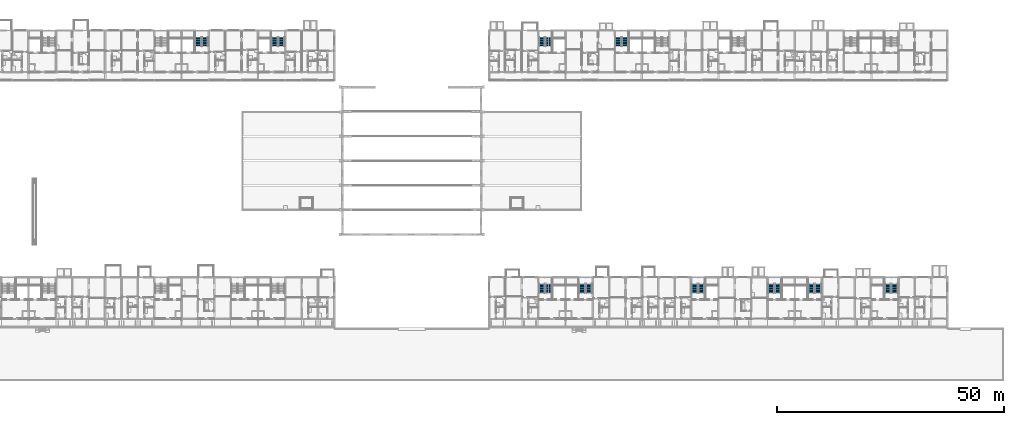
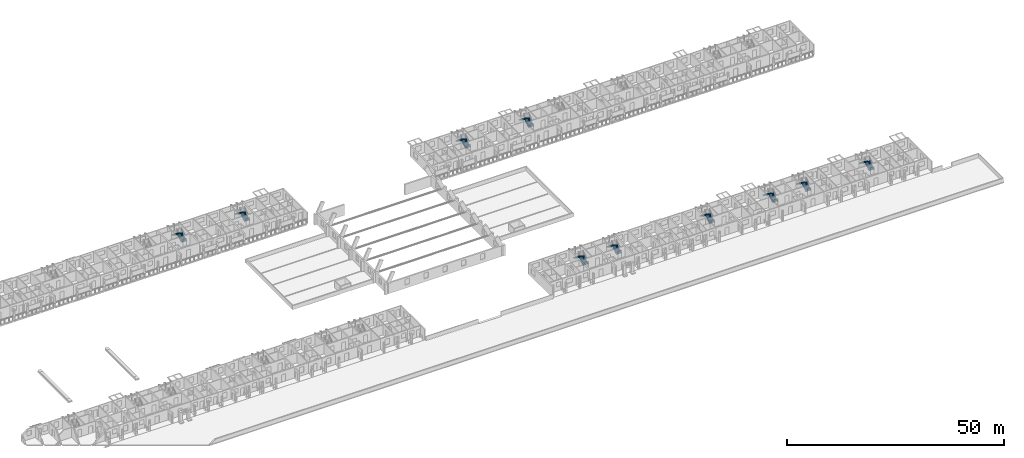
# One storey, part 75 of 115: 20 stair flights, 10 elements without a shape of their own.
"""IFC4 building model written with IfcOpenShell, lengths in metres."""

from ifc_helpers import new_model, si_unit, direction, frame, origin, place, context, subcontext, project, spatial, polyline, outline, extrude, material, type_object, element, aggregate, save


model = new_model("IFC4")

# Units and contexts
model_context = context("Model", 3, precision=1e-05, world=origin(), true_north=direction((0.0, 1.0)))
body_context = subcontext(model_context, "Body", "Model", "MODEL_VIEW")
ifc_project = project(units=[si_unit("LENGTHUNIT", "METRE"), si_unit("AREAUNIT", "SQUARE_METRE"), si_unit("VOLUMEUNIT", "CUBIC_METRE"), si_unit("PLANEANGLEUNIT", "RADIAN"), si_unit("MASSUNIT", "GRAM", prefix="KILO")], contexts=[model_context])

# Site, building, storey
site_placement = place(None, origin())
site = spatial("IfcSite", under=ifc_project, at=site_placement, CompositionType="ELEMENT")
building_placement = place(site_placement, origin())
building = spatial("IfcBuilding", under=site, at=building_placement, Name="Ridgestep Commons", CompositionType="ELEMENT")
storey_placement = place(building_placement, frame((0.0, 0.0, 6.0)))
storey = spatial("IfcBuildingStorey", under=building, at=storey_placement, Name="L02", CompositionType="ELEMENT", Elevation=6.0)

# Stair, stair flights
ifc_material_1 = material(Name="Precast concrete C40/50", Category="concrete")
stair_type = type_object("IfcStairType", Name="Escape stair 1400", PredefinedType="HALF_TURN_STAIR", material=ifc_material_1)
stair_1_placement = place(storey_placement, origin())
stair_1 = element("IfcStair", 1, at=stair_1_placement, inside=storey, type_object=stair_type, Name="L02 Escape stair B5C", PredefinedType="HALF_TURN_STAIR")
ifc_material_2 = material(Name="Precast concrete C40/50", Category="concrete")
stair_flight_type = type_object("IfcStairFlightType", Name="Stair flight 1400", PredefinedType="STRAIGHT", material=ifc_material_2)
stair_flight_1_placement = place(storey_placement, frame((84.375, 73.60009765625, 0.0), z_axis=(0.0, 0.0, 1.0), x_axis=(0.0, 1.0, 0.0)))
stair_flight_1 = element("IfcStairFlight", 2, at=stair_flight_1_placement, type_object=stair_flight_type, Name="B5C flight 1", NumberOfRisers=8, NumberOfTreads=7, PredefinedType="STRAIGHT", RiserHeight=0.1875, TreadLength=0.28, context=body_context, shape_type="SweptSolid", body=[
    extrude(outline(polyline([(0.0, 0.0), (0.0, 0.1875), (0.280029296875, 0.1875), (0.280029296875, 0.375), (0.56005859375, 0.375), (0.56005859375, 0.5625), (0.840087890625, 0.5625), (0.840087890625, 0.75), (1.1201171875, 0.75), (1.1201171875, 0.9375), (1.39990234375, 0.9375), (1.39990234375, 1.125), (1.679931640625, 1.125), (1.679931640625, 1.3125), (1.9599609375, 1.3125), (1.9599609375, 1.5), (1.9599609375, 1.132080078125), (0.26953125, 0.0), (0.0, 0.0)])), frame((0.0, 0.699951171875, 0.0), z_axis=(0.0, -1.0, 0.0), x_axis=(1.0, 0.0, 0.0)), (0.0, 0.0, 1.0), 0.695068359375),
    extrude(outline(polyline([(0.0, 0.0), (0.0, 0.1875), (0.280029296875, 0.1875), (0.280029296875, 0.375), (0.56005859375, 0.375), (0.56005859375, 0.5625), (0.840087890625, 0.5625), (0.840087890625, 0.75), (1.1201171875, 0.75), (1.1201171875, 0.9375), (1.39990234375, 0.9375), (1.39990234375, 1.125), (1.679931640625, 1.125), (1.679931640625, 1.3125), (1.9599609375, 1.3125), (1.9599609375, 1.5), (1.9599609375, 1.132080078125), (0.26953125, 0.0), (0.0, 0.0)])), frame((0.0, -0.0048828125, 0.0), z_axis=(0.0, -1.0, 0.0), x_axis=(1.0, 0.0, 0.0)), (0.0, 0.0, 1.0), 0.695068359375),
])
stair_flight_2_placement = place(storey_placement, frame((82.875, 75.56005859375, 1.5), z_axis=(0.0, 0.0, 1.0), x_axis=(0.0, -1.0, 0.0)))
stair_flight_2 = element("IfcStairFlight", 3, at=stair_flight_2_placement, type_object=stair_flight_type, Name="B5C flight 2", NumberOfRisers=8, NumberOfTreads=7, PredefinedType="STRAIGHT", RiserHeight=0.1875, TreadLength=0.28, context=body_context, shape_type="SweptSolid", body=[
    extrude(outline(polyline([(0.0, 0.0), (0.0, 0.1875), (0.280029296875, 0.1875), (0.280029296875, 0.375), (0.56005859375, 0.375), (0.56005859375, 0.5625), (0.840087890625, 0.5625), (0.840087890625, 0.75), (1.1201171875, 0.75), (1.1201171875, 0.9375), (1.39990234375, 0.9375), (1.39990234375, 1.125), (1.679931640625, 1.125), (1.679931640625, 1.3125), (1.9599609375, 1.3125), (1.9599609375, 1.5), (1.9599609375, 1.132080078125), (0.26953125, 0.0), (0.0, 0.0)])), frame((0.0, 0.699951171875, 0.0), z_axis=(0.0, -1.0, 0.0), x_axis=(1.0, 0.0, 0.0)), (0.0, 0.0, 1.0), 0.695068359375),
    extrude(outline(polyline([(0.0, 0.0), (0.0, 0.1875), (0.280029296875, 0.1875), (0.280029296875, 0.375), (0.56005859375, 0.375), (0.56005859375, 0.5625), (0.840087890625, 0.5625), (0.840087890625, 0.75), (1.1201171875, 0.75), (1.1201171875, 0.9375), (1.39990234375, 0.9375), (1.39990234375, 1.125), (1.679931640625, 1.125), (1.679931640625, 1.3125), (1.9599609375, 1.3125), (1.9599609375, 1.5), (1.9599609375, 1.132080078125), (0.26953125, 0.0), (0.0, 0.0)])), frame((0.0, -0.0048828125, 0.0), z_axis=(0.0, -1.0, 0.0), x_axis=(1.0, 0.0, 0.0)), (0.0, 0.0, 1.0), 0.695068359375),
])
aggregate(stair_1, [stair_flight_1, stair_flight_2])

stair_2_placement = place(storey_placement, origin())
stair_2 = element("IfcStair", 4, at=stair_2_placement, inside=storey, type_object=stair_type, Name="L02 Escape stair B6C", PredefinedType="HALF_TURN_STAIR")
stair_flight_3_placement = place(storey_placement, frame((101.175048828125, 73.60009765625, 0.0), z_axis=(0.0, 0.0, 1.0), x_axis=(0.0, 1.0, 0.0)))
stair_flight_3 = element("IfcStairFlight", 5, at=stair_flight_3_placement, type_object=stair_flight_type, Name="B6C flight 1", NumberOfRisers=8, NumberOfTreads=7, PredefinedType="STRAIGHT", RiserHeight=0.1875, TreadLength=0.28, context=body_context, shape_type="SweptSolid", body=[
    extrude(outline(polyline([(0.0, 0.0), (0.0, 0.1875), (0.280029296875, 0.1875), (0.280029296875, 0.375), (0.56005859375, 0.375), (0.56005859375, 0.5625), (0.840087890625, 0.5625), (0.840087890625, 0.75), (1.1201171875, 0.75), (1.1201171875, 0.9375), (1.39990234375, 0.9375), (1.39990234375, 1.125), (1.679931640625, 1.125), (1.679931640625, 1.3125), (1.9599609375, 1.3125), (1.9599609375, 1.5), (1.9599609375, 1.132080078125), (0.26953125, 0.0), (0.0, 0.0)])), frame((0.0, 0.699951171875, 0.0), z_axis=(0.0, -1.0, 0.0), x_axis=(1.0, 0.0, 0.0)), (0.0, 0.0, 1.0), 0.695068359375),
    extrude(outline(polyline([(0.0, 0.0), (0.0, 0.1875), (0.280029296875, 0.1875), (0.280029296875, 0.375), (0.56005859375, 0.375), (0.56005859375, 0.5625), (0.840087890625, 0.5625), (0.840087890625, 0.75), (1.1201171875, 0.75), (1.1201171875, 0.9375), (1.39990234375, 0.9375), (1.39990234375, 1.125), (1.679931640625, 1.125), (1.679931640625, 1.3125), (1.9599609375, 1.3125), (1.9599609375, 1.5), (1.9599609375, 1.132080078125), (0.26953125, 0.0), (0.0, 0.0)])), frame((0.0, -0.0048828125, 0.0), z_axis=(0.0, -1.0, 0.0), x_axis=(1.0, 0.0, 0.0)), (0.0, 0.0, 1.0), 0.695068359375),
])
stair_flight_4_placement = place(storey_placement, frame((99.675048828125, 75.56005859375, 1.5), z_axis=(0.0, 0.0, 1.0), x_axis=(0.0, -1.0, 0.0)))
stair_flight_4 = element("IfcStairFlight", 6, at=stair_flight_4_placement, type_object=stair_flight_type, Name="B6C flight 2", NumberOfRisers=8, NumberOfTreads=7, PredefinedType="STRAIGHT", RiserHeight=0.1875, TreadLength=0.28, context=body_context, shape_type="SweptSolid", body=[
    extrude(outline(polyline([(0.0, 0.0), (0.0, 0.1875), (0.280029296875, 0.1875), (0.280029296875, 0.375), (0.56005859375, 0.375), (0.56005859375, 0.5625), (0.840087890625, 0.5625), (0.840087890625, 0.75), (1.1201171875, 0.75), (1.1201171875, 0.9375), (1.39990234375, 0.9375), (1.39990234375, 1.125), (1.679931640625, 1.125), (1.679931640625, 1.3125), (1.9599609375, 1.3125), (1.9599609375, 1.5), (1.9599609375, 1.132080078125), (0.26953125, 0.0), (0.0, 0.0)])), frame((0.0, 0.699951171875, 0.0), z_axis=(0.0, -1.0, 0.0), x_axis=(1.0, 0.0, 0.0)), (0.0, 0.0, 1.0), 0.695068359375),
    extrude(outline(polyline([(0.0, 0.0), (0.0, 0.1875), (0.280029296875, 0.1875), (0.280029296875, 0.375), (0.56005859375, 0.375), (0.56005859375, 0.5625), (0.840087890625, 0.5625), (0.840087890625, 0.75), (1.1201171875, 0.75), (1.1201171875, 0.9375), (1.39990234375, 0.9375), (1.39990234375, 1.125), (1.679931640625, 1.125), (1.679931640625, 1.3125), (1.9599609375, 1.3125), (1.9599609375, 1.5), (1.9599609375, 1.132080078125), (0.26953125, 0.0), (0.0, 0.0)])), frame((0.0, -0.0048828125, 0.0), z_axis=(0.0, -1.0, 0.0), x_axis=(1.0, 0.0, 0.0)), (0.0, 0.0, 1.0), 0.695068359375),
])
aggregate(stair_2, [stair_flight_3, stair_flight_4])

stair_3_placement = place(storey_placement, origin())
stair_3 = element("IfcStair", 7, at=stair_3_placement, inside=storey, type_object=stair_type, Name="L02 Escape stair C1C", PredefinedType="HALF_TURN_STAIR")
stair_flight_5_placement = place(storey_placement, frame((159.925048828125, 73.60009765625, 0.0), z_axis=(0.0, 0.0, 1.0), x_axis=(0.0, 1.0, 0.0)))
stair_flight_5 = element("IfcStairFlight", 8, at=stair_flight_5_placement, type_object=stair_flight_type, Name="C1C flight 1", NumberOfRisers=8, NumberOfTreads=7, PredefinedType="STRAIGHT", RiserHeight=0.1875, TreadLength=0.28, context=body_context, shape_type="SweptSolid", body=[
    extrude(outline(polyline([(0.0, 0.0), (0.0, 0.1875), (0.280029296875, 0.1875), (0.280029296875, 0.375), (0.56005859375, 0.375), (0.56005859375, 0.5625), (0.840087890625, 0.5625), (0.840087890625, 0.75), (1.1201171875, 0.75), (1.1201171875, 0.9375), (1.39990234375, 0.9375), (1.39990234375, 1.125), (1.679931640625, 1.125), (1.679931640625, 1.3125), (1.9599609375, 1.3125), (1.9599609375, 1.5), (1.9599609375, 1.132080078125), (0.26953125, 0.0), (0.0, 0.0)])), frame((0.0, 0.699951171875, 0.0), z_axis=(0.0, -1.0, 0.0), x_axis=(1.0, 0.0, 0.0)), (0.0, 0.0, 1.0), 0.695068359375),
    extrude(outline(polyline([(0.0, 0.0), (0.0, 0.1875), (0.280029296875, 0.1875), (0.280029296875, 0.375), (0.56005859375, 0.375), (0.56005859375, 0.5625), (0.840087890625, 0.5625), (0.840087890625, 0.75), (1.1201171875, 0.75), (1.1201171875, 0.9375), (1.39990234375, 0.9375), (1.39990234375, 1.125), (1.679931640625, 1.125), (1.679931640625, 1.3125), (1.9599609375, 1.3125), (1.9599609375, 1.5), (1.9599609375, 1.132080078125), (0.26953125, 0.0), (0.0, 0.0)])), frame((0.0, -0.0048828125, 0.0), z_axis=(0.0, -1.0, 0.0), x_axis=(1.0, 0.0, 0.0)), (0.0, 0.0, 1.0), 0.695068359375),
])
stair_flight_6_placement = place(storey_placement, frame((158.425048828125, 75.56005859375, 1.5), z_axis=(0.0, 0.0, 1.0), x_axis=(0.0, -1.0, 0.0)))
stair_flight_6 = element("IfcStairFlight", 9, at=stair_flight_6_placement, type_object=stair_flight_type, Name="C1C flight 2", NumberOfRisers=8, NumberOfTreads=7, PredefinedType="STRAIGHT", RiserHeight=0.1875, TreadLength=0.28, context=body_context, shape_type="SweptSolid", body=[
    extrude(outline(polyline([(0.0, 0.0), (0.0, 0.1875), (0.280029296875, 0.1875), (0.280029296875, 0.375), (0.56005859375, 0.375), (0.56005859375, 0.5625), (0.840087890625, 0.5625), (0.840087890625, 0.75), (1.1201171875, 0.75), (1.1201171875, 0.9375), (1.39990234375, 0.9375), (1.39990234375, 1.125), (1.679931640625, 1.125), (1.679931640625, 1.3125), (1.9599609375, 1.3125), (1.9599609375, 1.5), (1.9599609375, 1.132080078125), (0.26953125, 0.0), (0.0, 0.0)])), frame((0.0, 0.699951171875, 0.0), z_axis=(0.0, -1.0, 0.0), x_axis=(1.0, 0.0, 0.0)), (0.0, 0.0, 1.0), 0.695068359375),
    extrude(outline(polyline([(0.0, 0.0), (0.0, 0.1875), (0.280029296875, 0.1875), (0.280029296875, 0.375), (0.56005859375, 0.375), (0.56005859375, 0.5625), (0.840087890625, 0.5625), (0.840087890625, 0.75), (1.1201171875, 0.75), (1.1201171875, 0.9375), (1.39990234375, 0.9375), (1.39990234375, 1.125), (1.679931640625, 1.125), (1.679931640625, 1.3125), (1.9599609375, 1.3125), (1.9599609375, 1.5), (1.9599609375, 1.132080078125), (0.26953125, 0.0), (0.0, 0.0)])), frame((0.0, -0.0048828125, 0.0), z_axis=(0.0, -1.0, 0.0), x_axis=(1.0, 0.0, 0.0)), (0.0, 0.0, 1.0), 0.695068359375),
])
aggregate(stair_3, [stair_flight_5, stair_flight_6])

stair_4_placement = place(storey_placement, origin())
stair_4 = element("IfcStair", 10, at=stair_4_placement, inside=storey, type_object=stair_type, Name="L02 Escape stair C2C", PredefinedType="HALF_TURN_STAIR")
stair_flight_7_placement = place(storey_placement, frame((176.72509765625, 73.60009765625, 0.0), z_axis=(0.0, 0.0, 1.0), x_axis=(0.0, 1.0, 0.0)))
stair_flight_7 = element("IfcStairFlight", 11, at=stair_flight_7_placement, type_object=stair_flight_type, Name="C2C flight 1", NumberOfRisers=8, NumberOfTreads=7, PredefinedType="STRAIGHT", RiserHeight=0.1875, TreadLength=0.28, context=body_context, shape_type="SweptSolid", body=[
    extrude(outline(polyline([(0.0, 0.0), (0.0, 0.1875), (0.280029296875, 0.1875), (0.280029296875, 0.375), (0.56005859375, 0.375), (0.56005859375, 0.5625), (0.840087890625, 0.5625), (0.840087890625, 0.75), (1.1201171875, 0.75), (1.1201171875, 0.9375), (1.39990234375, 0.9375), (1.39990234375, 1.125), (1.679931640625, 1.125), (1.679931640625, 1.3125), (1.9599609375, 1.3125), (1.9599609375, 1.5), (1.9599609375, 1.132080078125), (0.26953125, 0.0), (0.0, 0.0)])), frame((0.0, 0.699951171875, 0.0), z_axis=(0.0, -1.0, 0.0), x_axis=(1.0, 0.0, 0.0)), (0.0, 0.0, 1.0), 0.695068359375),
    extrude(outline(polyline([(0.0, 0.0), (0.0, 0.1875), (0.280029296875, 0.1875), (0.280029296875, 0.375), (0.56005859375, 0.375), (0.56005859375, 0.5625), (0.840087890625, 0.5625), (0.840087890625, 0.75), (1.1201171875, 0.75), (1.1201171875, 0.9375), (1.39990234375, 0.9375), (1.39990234375, 1.125), (1.679931640625, 1.125), (1.679931640625, 1.3125), (1.9599609375, 1.3125), (1.9599609375, 1.5), (1.9599609375, 1.132080078125), (0.26953125, 0.0), (0.0, 0.0)])), frame((0.0, -0.0048828125, 0.0), z_axis=(0.0, -1.0, 0.0), x_axis=(1.0, 0.0, 0.0)), (0.0, 0.0, 1.0), 0.695068359375),
])
stair_flight_8_placement = place(storey_placement, frame((175.22509765625, 75.56005859375, 1.5), z_axis=(0.0, 0.0, 1.0), x_axis=(0.0, -1.0, 0.0)))
stair_flight_8 = element("IfcStairFlight", 12, at=stair_flight_8_placement, type_object=stair_flight_type, Name="C2C flight 2", NumberOfRisers=8, NumberOfTreads=7, PredefinedType="STRAIGHT", RiserHeight=0.1875, TreadLength=0.28, context=body_context, shape_type="SweptSolid", body=[
    extrude(outline(polyline([(0.0, 0.0), (0.0, 0.1875), (0.280029296875, 0.1875), (0.280029296875, 0.375), (0.56005859375, 0.375), (0.56005859375, 0.5625), (0.840087890625, 0.5625), (0.840087890625, 0.75), (1.1201171875, 0.75), (1.1201171875, 0.9375), (1.39990234375, 0.9375), (1.39990234375, 1.125), (1.679931640625, 1.125), (1.679931640625, 1.3125), (1.9599609375, 1.3125), (1.9599609375, 1.5), (1.9599609375, 1.132080078125), (0.26953125, 0.0), (0.0, 0.0)])), frame((0.0, 0.699951171875, 0.0), z_axis=(0.0, -1.0, 0.0), x_axis=(1.0, 0.0, 0.0)), (0.0, 0.0, 1.0), 0.695068359375),
    extrude(outline(polyline([(0.0, 0.0), (0.0, 0.1875), (0.280029296875, 0.1875), (0.280029296875, 0.375), (0.56005859375, 0.375), (0.56005859375, 0.5625), (0.840087890625, 0.5625), (0.840087890625, 0.75), (1.1201171875, 0.75), (1.1201171875, 0.9375), (1.39990234375, 0.9375), (1.39990234375, 1.125), (1.679931640625, 1.125), (1.679931640625, 1.3125), (1.9599609375, 1.3125), (1.9599609375, 1.5), (1.9599609375, 1.132080078125), (0.26953125, 0.0), (0.0, 0.0)])), frame((0.0, -0.0048828125, 0.0), z_axis=(0.0, -1.0, 0.0), x_axis=(1.0, 0.0, 0.0)), (0.0, 0.0, 1.0), 0.695068359375),
])
aggregate(stair_4, [stair_flight_7, stair_flight_8])

stair_5_placement = place(storey_placement, origin())
stair_5 = element("IfcStair", 13, at=stair_5_placement, inside=storey, type_object=stair_type, Name="L02 Escape stair D1C", PredefinedType="HALF_TURN_STAIR")
stair_flight_9_placement = place(storey_placement, frame((159.925048828125, 19.35009765625, 0.0), z_axis=(0.0, 0.0, 1.0), x_axis=(0.0, 1.0, 0.0)))
stair_flight_9 = element("IfcStairFlight", 14, at=stair_flight_9_placement, type_object=stair_flight_type, Name="D1C flight 1", NumberOfRisers=8, NumberOfTreads=7, PredefinedType="STRAIGHT", RiserHeight=0.1875, TreadLength=0.28, context=body_context, shape_type="SweptSolid", body=[
    extrude(outline(polyline([(0.0, 0.0), (0.0, 0.1875), (0.280029296875, 0.1875), (0.280029296875, 0.375), (0.56005859375, 0.375), (0.56005859375, 0.5625), (0.840087890625, 0.5625), (0.840087890625, 0.75), (1.1201171875, 0.75), (1.1201171875, 0.9375), (1.39990234375, 0.9375), (1.39990234375, 1.125), (1.679931640625, 1.125), (1.679931640625, 1.3125), (1.9599609375, 1.3125), (1.9599609375, 1.5), (1.9599609375, 1.132080078125), (0.26953125, 0.0), (0.0, 0.0)])), frame((0.0, 0.699951171875, 0.0), z_axis=(0.0, -1.0, 0.0), x_axis=(1.0, 0.0, 0.0)), (0.0, 0.0, 1.0), 0.695068359375),
    extrude(outline(polyline([(0.0, 0.0), (0.0, 0.1875), (0.280029296875, 0.1875), (0.280029296875, 0.375), (0.56005859375, 0.375), (0.56005859375, 0.5625), (0.840087890625, 0.5625), (0.840087890625, 0.75), (1.1201171875, 0.75), (1.1201171875, 0.9375), (1.39990234375, 0.9375), (1.39990234375, 1.125), (1.679931640625, 1.125), (1.679931640625, 1.3125), (1.9599609375, 1.3125), (1.9599609375, 1.5), (1.9599609375, 1.132080078125), (0.26953125, 0.0), (0.0, 0.0)])), frame((0.0, -0.0048828125, 0.0), z_axis=(0.0, -1.0, 0.0), x_axis=(1.0, 0.0, 0.0)), (0.0, 0.0, 1.0), 0.695068359375),
])
stair_flight_10_placement = place(storey_placement, frame((158.425048828125, 21.31005859375, 1.5), z_axis=(0.0, 0.0, 1.0), x_axis=(0.0, -1.0, 0.0)))
stair_flight_10 = element("IfcStairFlight", 15, at=stair_flight_10_placement, type_object=stair_flight_type, Name="D1C flight 2", NumberOfRisers=8, NumberOfTreads=7, PredefinedType="STRAIGHT", RiserHeight=0.1875, TreadLength=0.28, context=body_context, shape_type="SweptSolid", body=[
    extrude(outline(polyline([(0.0, 0.0), (0.0, 0.1875), (0.280029296875, 0.1875), (0.280029296875, 0.375), (0.56005859375, 0.375), (0.56005859375, 0.5625), (0.840087890625, 0.5625), (0.840087890625, 0.75), (1.1201171875, 0.75), (1.1201171875, 0.9375), (1.39990234375, 0.9375), (1.39990234375, 1.125), (1.679931640625, 1.125), (1.679931640625, 1.3125), (1.9599609375, 1.3125), (1.9599609375, 1.5), (1.9599609375, 1.132080078125), (0.26953125, 0.0), (0.0, 0.0)])), frame((0.0, 0.699951171875, 0.0), z_axis=(0.0, -1.0, 0.0), x_axis=(1.0, 0.0, 0.0)), (0.0, 0.0, 1.0), 0.695068359375),
    extrude(outline(polyline([(0.0, 0.0), (0.0, 0.1875), (0.280029296875, 0.1875), (0.280029296875, 0.375), (0.56005859375, 0.375), (0.56005859375, 0.5625), (0.840087890625, 0.5625), (0.840087890625, 0.75), (1.1201171875, 0.75), (1.1201171875, 0.9375), (1.39990234375, 0.9375), (1.39990234375, 1.125), (1.679931640625, 1.125), (1.679931640625, 1.3125), (1.9599609375, 1.3125), (1.9599609375, 1.5), (1.9599609375, 1.132080078125), (0.26953125, 0.0), (0.0, 0.0)])), frame((0.0, -0.0048828125, 0.0), z_axis=(0.0, -1.0, 0.0), x_axis=(1.0, 0.0, 0.0)), (0.0, 0.0, 1.0), 0.695068359375),
])
aggregate(stair_5, [stair_flight_9, stair_flight_10])

stair_6_placement = place(storey_placement, origin())
stair_6 = element("IfcStair", 16, at=stair_6_placement, inside=storey, type_object=stair_type, Name="L02 Escape stair D2C", PredefinedType="HALF_TURN_STAIR")
stair_flight_11_placement = place(storey_placement, frame((168.77490234375, 19.35009765625, 0.0), z_axis=(0.0, 0.0, 1.0), x_axis=(0.0, 1.0, 0.0)))
stair_flight_11 = element("IfcStairFlight", 17, at=stair_flight_11_placement, type_object=stair_flight_type, Name="D2C flight 1", NumberOfRisers=8, NumberOfTreads=7, PredefinedType="STRAIGHT", RiserHeight=0.1875, TreadLength=0.28, context=body_context, shape_type="SweptSolid", body=[
    extrude(outline(polyline([(0.0, 0.0), (0.0, 0.1875), (0.280029296875, 0.1875), (0.280029296875, 0.375), (0.56005859375, 0.375), (0.56005859375, 0.5625), (0.840087890625, 0.5625), (0.840087890625, 0.75), (1.1201171875, 0.75), (1.1201171875, 0.9375), (1.39990234375, 0.9375), (1.39990234375, 1.125), (1.679931640625, 1.125), (1.679931640625, 1.3125), (1.9599609375, 1.3125), (1.9599609375, 1.5), (1.9599609375, 1.132080078125), (0.26953125, 0.0), (0.0, 0.0)])), frame((0.0, 0.699951171875, 0.0), z_axis=(0.0, -1.0, 0.0), x_axis=(1.0, 0.0, 0.0)), (0.0, 0.0, 1.0), 0.695068359375),
    extrude(outline(polyline([(0.0, 0.0), (0.0, 0.1875), (0.280029296875, 0.1875), (0.280029296875, 0.375), (0.56005859375, 0.375), (0.56005859375, 0.5625), (0.840087890625, 0.5625), (0.840087890625, 0.75), (1.1201171875, 0.75), (1.1201171875, 0.9375), (1.39990234375, 0.9375), (1.39990234375, 1.125), (1.679931640625, 1.125), (1.679931640625, 1.3125), (1.9599609375, 1.3125), (1.9599609375, 1.5), (1.9599609375, 1.132080078125), (0.26953125, 0.0), (0.0, 0.0)])), frame((0.0, -0.0048828125, 0.0), z_axis=(0.0, -1.0, 0.0), x_axis=(1.0, 0.0, 0.0)), (0.0, 0.0, 1.0), 0.695068359375),
])
stair_flight_12_placement = place(storey_placement, frame((167.27490234375, 21.31005859375, 1.5), z_axis=(0.0, 0.0, 1.0), x_axis=(0.0, -1.0, 0.0)))
stair_flight_12 = element("IfcStairFlight", 18, at=stair_flight_12_placement, type_object=stair_flight_type, Name="D2C flight 2", NumberOfRisers=8, NumberOfTreads=7, PredefinedType="STRAIGHT", RiserHeight=0.1875, TreadLength=0.28, context=body_context, shape_type="SweptSolid", body=[
    extrude(outline(polyline([(0.0, 0.0), (0.0, 0.1875), (0.280029296875, 0.1875), (0.280029296875, 0.375), (0.56005859375, 0.375), (0.56005859375, 0.5625), (0.840087890625, 0.5625), (0.840087890625, 0.75), (1.1201171875, 0.75), (1.1201171875, 0.9375), (1.39990234375, 0.9375), (1.39990234375, 1.125), (1.679931640625, 1.125), (1.679931640625, 1.3125), (1.9599609375, 1.3125), (1.9599609375, 1.5), (1.9599609375, 1.132080078125), (0.26953125, 0.0), (0.0, 0.0)])), frame((0.0, 0.699951171875, 0.0), z_axis=(0.0, -1.0, 0.0), x_axis=(1.0, 0.0, 0.0)), (0.0, 0.0, 1.0), 0.695068359375),
    extrude(outline(polyline([(0.0, 0.0), (0.0, 0.1875), (0.280029296875, 0.1875), (0.280029296875, 0.375), (0.56005859375, 0.375), (0.56005859375, 0.5625), (0.840087890625, 0.5625), (0.840087890625, 0.75), (1.1201171875, 0.75), (1.1201171875, 0.9375), (1.39990234375, 0.9375), (1.39990234375, 1.125), (1.679931640625, 1.125), (1.679931640625, 1.3125), (1.9599609375, 1.3125), (1.9599609375, 1.5), (1.9599609375, 1.132080078125), (0.26953125, 0.0), (0.0, 0.0)])), frame((0.0, -0.0048828125, 0.0), z_axis=(0.0, -1.0, 0.0), x_axis=(1.0, 0.0, 0.0)), (0.0, 0.0, 1.0), 0.695068359375),
])
aggregate(stair_6, [stair_flight_11, stair_flight_12])

stair_7_placement = place(storey_placement, origin())
stair_7 = element("IfcStair", 19, at=stair_7_placement, inside=storey, type_object=stair_type, Name="L02 Escape stair D3C", PredefinedType="HALF_TURN_STAIR")
stair_flight_13_placement = place(storey_placement, frame((193.52490234375, 19.35009765625, 0.0), z_axis=(0.0, 0.0, 1.0), x_axis=(0.0, 1.0, 0.0)))
stair_flight_13 = element("IfcStairFlight", 20, at=stair_flight_13_placement, type_object=stair_flight_type, Name="D3C flight 1", NumberOfRisers=8, NumberOfTreads=7, PredefinedType="STRAIGHT", RiserHeight=0.1875, TreadLength=0.28, context=body_context, shape_type="SweptSolid", body=[
    extrude(outline(polyline([(0.0, 0.0), (0.0, 0.1875), (0.280029296875, 0.1875), (0.280029296875, 0.375), (0.56005859375, 0.375), (0.56005859375, 0.5625), (0.840087890625, 0.5625), (0.840087890625, 0.75), (1.1201171875, 0.75), (1.1201171875, 0.9375), (1.39990234375, 0.9375), (1.39990234375, 1.125), (1.679931640625, 1.125), (1.679931640625, 1.3125), (1.9599609375, 1.3125), (1.9599609375, 1.5), (1.9599609375, 1.132080078125), (0.26953125, 0.0), (0.0, 0.0)])), frame((0.0, 0.699951171875, 0.0), z_axis=(0.0, -1.0, 0.0), x_axis=(1.0, 0.0, 0.0)), (0.0, 0.0, 1.0), 0.695068359375),
    extrude(outline(polyline([(0.0, 0.0), (0.0, 0.1875), (0.280029296875, 0.1875), (0.280029296875, 0.375), (0.56005859375, 0.375), (0.56005859375, 0.5625), (0.840087890625, 0.5625), (0.840087890625, 0.75), (1.1201171875, 0.75), (1.1201171875, 0.9375), (1.39990234375, 0.9375), (1.39990234375, 1.125), (1.679931640625, 1.125), (1.679931640625, 1.3125), (1.9599609375, 1.3125), (1.9599609375, 1.5), (1.9599609375, 1.132080078125), (0.26953125, 0.0), (0.0, 0.0)])), frame((0.0, -0.0048828125, 0.0), z_axis=(0.0, -1.0, 0.0), x_axis=(1.0, 0.0, 0.0)), (0.0, 0.0, 1.0), 0.695068359375),
])
stair_flight_14_placement = place(storey_placement, frame((192.02490234375, 21.31005859375, 1.5), z_axis=(0.0, 0.0, 1.0), x_axis=(0.0, -1.0, 0.0)))
stair_flight_14 = element("IfcStairFlight", 21, at=stair_flight_14_placement, type_object=stair_flight_type, Name="D3C flight 2", NumberOfRisers=8, NumberOfTreads=7, PredefinedType="STRAIGHT", RiserHeight=0.1875, TreadLength=0.28, context=body_context, shape_type="SweptSolid", body=[
    extrude(outline(polyline([(0.0, 0.0), (0.0, 0.1875), (0.280029296875, 0.1875), (0.280029296875, 0.375), (0.56005859375, 0.375), (0.56005859375, 0.5625), (0.840087890625, 0.5625), (0.840087890625, 0.75), (1.1201171875, 0.75), (1.1201171875, 0.9375), (1.39990234375, 0.9375), (1.39990234375, 1.125), (1.679931640625, 1.125), (1.679931640625, 1.3125), (1.9599609375, 1.3125), (1.9599609375, 1.5), (1.9599609375, 1.132080078125), (0.26953125, 0.0), (0.0, 0.0)])), frame((0.0, 0.699951171875, 0.0), z_axis=(0.0, -1.0, 0.0), x_axis=(1.0, 0.0, 0.0)), (0.0, 0.0, 1.0), 0.695068359375),
    extrude(outline(polyline([(0.0, 0.0), (0.0, 0.1875), (0.280029296875, 0.1875), (0.280029296875, 0.375), (0.56005859375, 0.375), (0.56005859375, 0.5625), (0.840087890625, 0.5625), (0.840087890625, 0.75), (1.1201171875, 0.75), (1.1201171875, 0.9375), (1.39990234375, 0.9375), (1.39990234375, 1.125), (1.679931640625, 1.125), (1.679931640625, 1.3125), (1.9599609375, 1.3125), (1.9599609375, 1.5), (1.9599609375, 1.132080078125), (0.26953125, 0.0), (0.0, 0.0)])), frame((0.0, -0.0048828125, 0.0), z_axis=(0.0, -1.0, 0.0), x_axis=(1.0, 0.0, 0.0)), (0.0, 0.0, 1.0), 0.695068359375),
])
aggregate(stair_7, [stair_flight_13, stair_flight_14])

stair_8_placement = place(storey_placement, origin())
stair_8 = element("IfcStair", 22, at=stair_8_placement, inside=storey, type_object=stair_type, Name="L02 Escape stair D4C", PredefinedType="HALF_TURN_STAIR")
stair_flight_15_placement = place(storey_placement, frame((210.324951171875, 19.35009765625, 0.0), z_axis=(0.0, 0.0, 1.0), x_axis=(0.0, 1.0, 0.0)))
stair_flight_15 = element("IfcStairFlight", 23, at=stair_flight_15_placement, type_object=stair_flight_type, Name="D4C flight 1", NumberOfRisers=8, NumberOfTreads=7, PredefinedType="STRAIGHT", RiserHeight=0.1875, TreadLength=0.28, context=body_context, shape_type="SweptSolid", body=[
    extrude(outline(polyline([(0.0, 0.0), (0.0, 0.1875), (0.280029296875, 0.1875), (0.280029296875, 0.375), (0.56005859375, 0.375), (0.56005859375, 0.5625), (0.840087890625, 0.5625), (0.840087890625, 0.75), (1.1201171875, 0.75), (1.1201171875, 0.9375), (1.39990234375, 0.9375), (1.39990234375, 1.125), (1.679931640625, 1.125), (1.679931640625, 1.3125), (1.9599609375, 1.3125), (1.9599609375, 1.5), (1.9599609375, 1.132080078125), (0.26953125, 0.0), (0.0, 0.0)])), frame((0.0, 0.699951171875, 0.0), z_axis=(0.0, -1.0, 0.0), x_axis=(1.0, 0.0, 0.0)), (0.0, 0.0, 1.0), 0.695068359375),
    extrude(outline(polyline([(0.0, 0.0), (0.0, 0.1875), (0.280029296875, 0.1875), (0.280029296875, 0.375), (0.56005859375, 0.375), (0.56005859375, 0.5625), (0.840087890625, 0.5625), (0.840087890625, 0.75), (1.1201171875, 0.75), (1.1201171875, 0.9375), (1.39990234375, 0.9375), (1.39990234375, 1.125), (1.679931640625, 1.125), (1.679931640625, 1.3125), (1.9599609375, 1.3125), (1.9599609375, 1.5), (1.9599609375, 1.132080078125), (0.26953125, 0.0), (0.0, 0.0)])), frame((0.0, -0.0048828125, 0.0), z_axis=(0.0, -1.0, 0.0), x_axis=(1.0, 0.0, 0.0)), (0.0, 0.0, 1.0), 0.695068359375),
])
stair_flight_16_placement = place(storey_placement, frame((208.824951171875, 21.31005859375, 1.5), z_axis=(0.0, 0.0, 1.0), x_axis=(0.0, -1.0, 0.0)))
stair_flight_16 = element("IfcStairFlight", 24, at=stair_flight_16_placement, type_object=stair_flight_type, Name="D4C flight 2", NumberOfRisers=8, NumberOfTreads=7, PredefinedType="STRAIGHT", RiserHeight=0.1875, TreadLength=0.28, context=body_context, shape_type="SweptSolid", body=[
    extrude(outline(polyline([(0.0, 0.0), (0.0, 0.1875), (0.280029296875, 0.1875), (0.280029296875, 0.375), (0.56005859375, 0.375), (0.56005859375, 0.5625), (0.840087890625, 0.5625), (0.840087890625, 0.75), (1.1201171875, 0.75), (1.1201171875, 0.9375), (1.39990234375, 0.9375), (1.39990234375, 1.125), (1.679931640625, 1.125), (1.679931640625, 1.3125), (1.9599609375, 1.3125), (1.9599609375, 1.5), (1.9599609375, 1.132080078125), (0.26953125, 0.0), (0.0, 0.0)])), frame((0.0, 0.699951171875, 0.0), z_axis=(0.0, -1.0, 0.0), x_axis=(1.0, 0.0, 0.0)), (0.0, 0.0, 1.0), 0.695068359375),
    extrude(outline(polyline([(0.0, 0.0), (0.0, 0.1875), (0.280029296875, 0.1875), (0.280029296875, 0.375), (0.56005859375, 0.375), (0.56005859375, 0.5625), (0.840087890625, 0.5625), (0.840087890625, 0.75), (1.1201171875, 0.75), (1.1201171875, 0.9375), (1.39990234375, 0.9375), (1.39990234375, 1.125), (1.679931640625, 1.125), (1.679931640625, 1.3125), (1.9599609375, 1.3125), (1.9599609375, 1.5), (1.9599609375, 1.132080078125), (0.26953125, 0.0), (0.0, 0.0)])), frame((0.0, -0.0048828125, 0.0), z_axis=(0.0, -1.0, 0.0), x_axis=(1.0, 0.0, 0.0)), (0.0, 0.0, 1.0), 0.695068359375),
])
aggregate(stair_8, [stair_flight_15, stair_flight_16])

stair_9_placement = place(storey_placement, origin())
stair_9 = element("IfcStair", 25, at=stair_9_placement, inside=storey, type_object=stair_type, Name="L02 Escape stair D5C", PredefinedType="HALF_TURN_STAIR")
stair_flight_17_placement = place(storey_placement, frame((219.175048828125, 19.35009765625, 0.0), z_axis=(0.0, 0.0, 1.0), x_axis=(0.0, 1.0, 0.0)))
stair_flight_17 = element("IfcStairFlight", 26, at=stair_flight_17_placement, type_object=stair_flight_type, Name="D5C flight 1", NumberOfRisers=8, NumberOfTreads=7, PredefinedType="STRAIGHT", RiserHeight=0.1875, TreadLength=0.28, context=body_context, shape_type="SweptSolid", body=[
    extrude(outline(polyline([(0.0, 0.0), (0.0, 0.1875), (0.280029296875, 0.1875), (0.280029296875, 0.375), (0.56005859375, 0.375), (0.56005859375, 0.5625), (0.840087890625, 0.5625), (0.840087890625, 0.75), (1.1201171875, 0.75), (1.1201171875, 0.9375), (1.39990234375, 0.9375), (1.39990234375, 1.125), (1.679931640625, 1.125), (1.679931640625, 1.3125), (1.9599609375, 1.3125), (1.9599609375, 1.5), (1.9599609375, 1.132080078125), (0.26953125, 0.0), (0.0, 0.0)])), frame((0.0, 0.699951171875, 0.0), z_axis=(0.0, -1.0, 0.0), x_axis=(1.0, 0.0, 0.0)), (0.0, 0.0, 1.0), 0.695068359375),
    extrude(outline(polyline([(0.0, 0.0), (0.0, 0.1875), (0.280029296875, 0.1875), (0.280029296875, 0.375), (0.56005859375, 0.375), (0.56005859375, 0.5625), (0.840087890625, 0.5625), (0.840087890625, 0.75), (1.1201171875, 0.75), (1.1201171875, 0.9375), (1.39990234375, 0.9375), (1.39990234375, 1.125), (1.679931640625, 1.125), (1.679931640625, 1.3125), (1.9599609375, 1.3125), (1.9599609375, 1.5), (1.9599609375, 1.132080078125), (0.26953125, 0.0), (0.0, 0.0)])), frame((0.0, -0.0048828125, 0.0), z_axis=(0.0, -1.0, 0.0), x_axis=(1.0, 0.0, 0.0)), (0.0, 0.0, 1.0), 0.695068359375),
])
stair_flight_18_placement = place(storey_placement, frame((217.675048828125, 21.31005859375, 1.5), z_axis=(0.0, 0.0, 1.0), x_axis=(0.0, -1.0, 0.0)))
stair_flight_18 = element("IfcStairFlight", 27, at=stair_flight_18_placement, type_object=stair_flight_type, Name="D5C flight 2", NumberOfRisers=8, NumberOfTreads=7, PredefinedType="STRAIGHT", RiserHeight=0.1875, TreadLength=0.28, context=body_context, shape_type="SweptSolid", body=[
    extrude(outline(polyline([(0.0, 0.0), (0.0, 0.1875), (0.280029296875, 0.1875), (0.280029296875, 0.375), (0.56005859375, 0.375), (0.56005859375, 0.5625), (0.840087890625, 0.5625), (0.840087890625, 0.75), (1.1201171875, 0.75), (1.1201171875, 0.9375), (1.39990234375, 0.9375), (1.39990234375, 1.125), (1.679931640625, 1.125), (1.679931640625, 1.3125), (1.9599609375, 1.3125), (1.9599609375, 1.5), (1.9599609375, 1.132080078125), (0.26953125, 0.0), (0.0, 0.0)])), frame((0.0, 0.699951171875, 0.0), z_axis=(0.0, -1.0, 0.0), x_axis=(1.0, 0.0, 0.0)), (0.0, 0.0, 1.0), 0.695068359375),
    extrude(outline(polyline([(0.0, 0.0), (0.0, 0.1875), (0.280029296875, 0.1875), (0.280029296875, 0.375), (0.56005859375, 0.375), (0.56005859375, 0.5625), (0.840087890625, 0.5625), (0.840087890625, 0.75), (1.1201171875, 0.75), (1.1201171875, 0.9375), (1.39990234375, 0.9375), (1.39990234375, 1.125), (1.679931640625, 1.125), (1.679931640625, 1.3125), (1.9599609375, 1.3125), (1.9599609375, 1.5), (1.9599609375, 1.132080078125), (0.26953125, 0.0), (0.0, 0.0)])), frame((0.0, -0.0048828125, 0.0), z_axis=(0.0, -1.0, 0.0), x_axis=(1.0, 0.0, 0.0)), (0.0, 0.0, 1.0), 0.695068359375),
])
aggregate(stair_9, [stair_flight_17, stair_flight_18])

stair_10_placement = place(storey_placement, origin())
stair_10 = element("IfcStair", 28, at=stair_10_placement, inside=storey, type_object=stair_type, Name="L02 Escape stair D6C", PredefinedType="HALF_TURN_STAIR")
stair_flight_19_placement = place(storey_placement, frame((235.97509765625, 19.35009765625, 0.0), z_axis=(0.0, 0.0, 1.0), x_axis=(0.0, 1.0, 0.0)))
stair_flight_19 = element("IfcStairFlight", 29, at=stair_flight_19_placement, type_object=stair_flight_type, Name="D6C flight 1", NumberOfRisers=8, NumberOfTreads=7, PredefinedType="STRAIGHT", RiserHeight=0.1875, TreadLength=0.28, context=body_context, shape_type="SweptSolid", body=[
    extrude(outline(polyline([(0.0, 0.0), (0.0, 0.1875), (0.280029296875, 0.1875), (0.280029296875, 0.375), (0.56005859375, 0.375), (0.56005859375, 0.5625), (0.840087890625, 0.5625), (0.840087890625, 0.75), (1.1201171875, 0.75), (1.1201171875, 0.9375), (1.39990234375, 0.9375), (1.39990234375, 1.125), (1.679931640625, 1.125), (1.679931640625, 1.3125), (1.9599609375, 1.3125), (1.9599609375, 1.5), (1.9599609375, 1.132080078125), (0.26953125, 0.0), (0.0, 0.0)])), frame((0.0, 0.699951171875, 0.0), z_axis=(0.0, -1.0, 0.0), x_axis=(1.0, 0.0, 0.0)), (0.0, 0.0, 1.0), 0.695068359375),
    extrude(outline(polyline([(0.0, 0.0), (0.0, 0.1875), (0.280029296875, 0.1875), (0.280029296875, 0.375), (0.56005859375, 0.375), (0.56005859375, 0.5625), (0.840087890625, 0.5625), (0.840087890625, 0.75), (1.1201171875, 0.75), (1.1201171875, 0.9375), (1.39990234375, 0.9375), (1.39990234375, 1.125), (1.679931640625, 1.125), (1.679931640625, 1.3125), (1.9599609375, 1.3125), (1.9599609375, 1.5), (1.9599609375, 1.132080078125), (0.26953125, 0.0), (0.0, 0.0)])), frame((0.0, -0.0048828125, 0.0), z_axis=(0.0, -1.0, 0.0), x_axis=(1.0, 0.0, 0.0)), (0.0, 0.0, 1.0), 0.695068359375),
])
stair_flight_20_placement = place(storey_placement, frame((234.47509765625, 21.31005859375, 1.5), z_axis=(0.0, 0.0, 1.0), x_axis=(0.0, -1.0, 0.0)))
stair_flight_20 = element("IfcStairFlight", 30, at=stair_flight_20_placement, type_object=stair_flight_type, Name="D6C flight 2", NumberOfRisers=8, NumberOfTreads=7, PredefinedType="STRAIGHT", RiserHeight=0.1875, TreadLength=0.28, context=body_context, shape_type="SweptSolid", body=[
    extrude(outline(polyline([(0.0, 0.0), (0.0, 0.1875), (0.280029296875, 0.1875), (0.280029296875, 0.375), (0.56005859375, 0.375), (0.56005859375, 0.5625), (0.840087890625, 0.5625), (0.840087890625, 0.75), (1.1201171875, 0.75), (1.1201171875, 0.9375), (1.39990234375, 0.9375), (1.39990234375, 1.125), (1.679931640625, 1.125), (1.679931640625, 1.3125), (1.9599609375, 1.3125), (1.9599609375, 1.5), (1.9599609375, 1.132080078125), (0.26953125, 0.0), (0.0, 0.0)])), frame((0.0, 0.699951171875, 0.0), z_axis=(0.0, -1.0, 0.0), x_axis=(1.0, 0.0, 0.0)), (0.0, 0.0, 1.0), 0.695068359375),
    extrude(outline(polyline([(0.0, 0.0), (0.0, 0.1875), (0.280029296875, 0.1875), (0.280029296875, 0.375), (0.56005859375, 0.375), (0.56005859375, 0.5625), (0.840087890625, 0.5625), (0.840087890625, 0.75), (1.1201171875, 0.75), (1.1201171875, 0.9375), (1.39990234375, 0.9375), (1.39990234375, 1.125), (1.679931640625, 1.125), (1.679931640625, 1.3125), (1.9599609375, 1.3125), (1.9599609375, 1.5), (1.9599609375, 1.132080078125), (0.26953125, 0.0), (0.0, 0.0)])), frame((0.0, -0.0048828125, 0.0), z_axis=(0.0, -1.0, 0.0), x_axis=(1.0, 0.0, 0.0)), (0.0, 0.0, 1.0), 0.695068359375),
])
aggregate(stair_10, [stair_flight_19, stair_flight_20])

save(model, "model.ifc")
